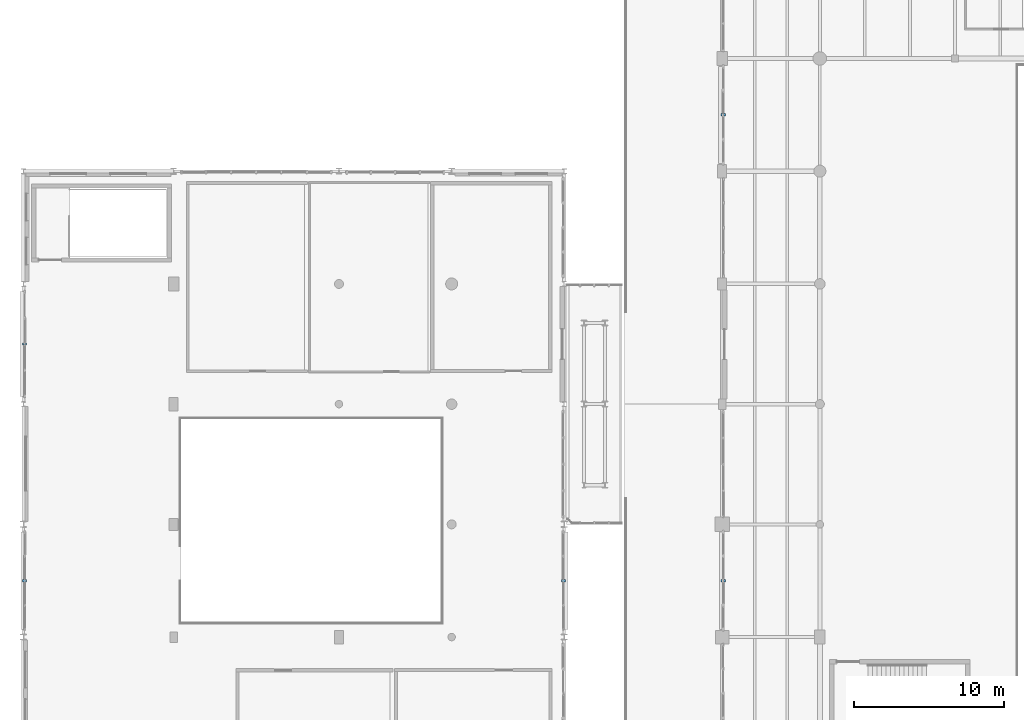
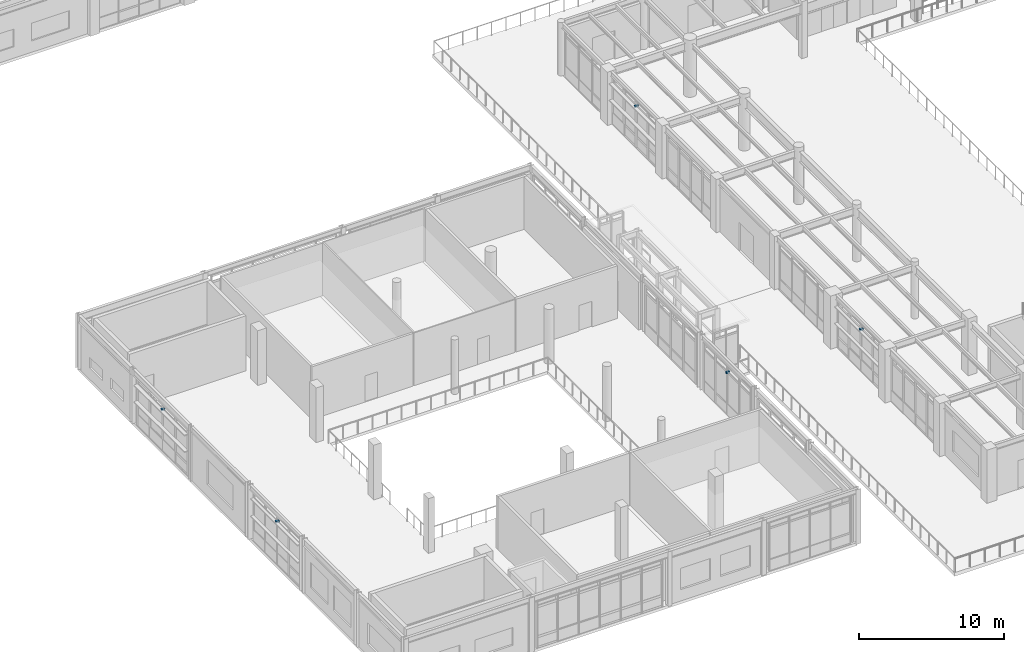
# One storey, part 184 of 200: 5 discrete accessories.
"""IFC4 building model written with IfcOpenShell, lengths in metres."""

import ifcopenshell
import ifcopenshell.guid

model = None  # the IFC model being written
_history = None  # IfcOwnerHistory: only IFC2X3 demands one
_inside = {}  # id of a spatial element -> (the spatial element, [elements in it])
_under = {}  # id of a project, library or spatial element -> (it, [spatial elements below it])
_declared = {}  # id of a project -> (the project, [libraries it declares])
_typed = {}  # id of a type object -> (the type object, [elements of that type])
_made_of = {}  # id of a material, layer set ... -> (it, [elements and type objects made of it])


def new_model(schema):
    """Start an empty IFC model of exactly this schema.

    Asked for "IFC4X3", IfcOpenShell would pick the latest addendum, in which some entities
    have other attributes; the version numbers below select the first issue.
    IFC2X3 requires an IfcOwnerHistory on every rooted entity: one is made here for all.
    """
    global model, _history
    if schema == "IFC4X3":
        model = ifcopenshell.file(schema_version=(4, 3, 0, 0))
    else:
        model = ifcopenshell.file(schema=schema)
    _inside.clear()
    _under.clear()
    _declared.clear()
    _typed.clear()
    _made_of.clear()
    _history = None
    if model.schema == "IFC2X3":
        org = make("IfcOrganization", Name="unknown")
        user = make(
            "IfcPersonAndOrganization",
            ThePerson=make("IfcPerson", FamilyName="unknown"),
            TheOrganization=org,
        )
        app = make(
            "IfcApplication",
            ApplicationDeveloper=org,
            Version="unknown",
            ApplicationFullName="unknown",
            ApplicationIdentifier="unknown",
        )
        _history = make(
            "IfcOwnerHistory",
            OwningUser=user,
            OwningApplication=app,
            ChangeAction="ADDED",
            CreationDate=0,
        )
    return model


def make(cls, **values):
    """One entity of the class cls with the attributes given. An attribute that is None is left unset."""
    return model.create_entity(
        cls, **{name: value for name, value in values.items() if value is not None}
    )


def rooted(cls, **values):
    """An entity with a GlobalId (a new one), such as an element, a storey or a relation."""
    return make(cls, GlobalId=ifcopenshell.guid.new(), OwnerHistory=_history, **values)


def si_unit(unit_type, name, prefix=None):
    """IfcSIUnit, for example si_unit("LENGTHUNIT", "METRE", prefix="MILLI")."""
    return make("IfcSIUnit", UnitType=unit_type, Prefix=prefix, Name=name)


def assignment(units):
    """IfcUnitAssignment: the units of a project."""
    return None if units is None else make("IfcUnitAssignment", Units=units)


def point(xyz):
    """IfcCartesianPoint."""
    return None if xyz is None else make("IfcCartesianPoint", Coordinates=xyz)


def direction(xyz):
    """IfcDirection."""
    return None if xyz is None else make("IfcDirection", DirectionRatios=xyz)


def frame(location, z_axis=None, x_axis=None):
    """IfcAxis2Placement3D, a coordinate frame: its origin and axes. An axis left out is left unset."""
    return make(
        "IfcAxis2Placement3D",
        Location=point(location),
        Axis=direction(z_axis),
        RefDirection=direction(x_axis),
    )


def frame_2d(location, x_axis=None):
    """IfcAxis2Placement2D, a coordinate frame in the plane: its origin and x axis."""
    return make(
        "IfcAxis2Placement2D", Location=point(location), RefDirection=direction(x_axis)
    )


def origin():
    """The frame at (0, 0, 0) with its axes left unset."""
    return frame((0.0, 0.0, 0.0))


def origin_2d():
    """The frame at (0, 0) in the plane with its x axis left unset."""
    return frame_2d((0.0, 0.0))


def place(relative_to, where):
    """IfcLocalPlacement: puts the frame where relative to a parent placement (None: the world)."""
    return make(
        "IfcLocalPlacement", PlacementRelTo=relative_to, RelativePlacement=where
    )


def context(
    kind, dimensions, precision=None, world=None, true_north=None, identifier=None
):
    """IfcGeometricRepresentationContext, for example the 3D "Model" context."""
    return make(
        "IfcGeometricRepresentationContext",
        ContextIdentifier=identifier,
        ContextType=kind,
        CoordinateSpaceDimension=dimensions,
        Precision=precision,
        WorldCoordinateSystem=world,
        TrueNorth=true_north,
    )


def subcontext(parent, identifier, kind, view, scale=None):
    """IfcGeometricRepresentationSubContext, for example "Body" below "Model"."""
    return make(
        "IfcGeometricRepresentationSubContext",
        ContextIdentifier=identifier,
        ContextType=kind,
        ParentContext=parent,
        TargetScale=scale,
        TargetView=view,
    )


def project(units=None, contexts=None):
    """IfcProject with its units and contexts."""
    return rooted(
        "IfcProject",
        Name="project",
        RepresentationContexts=contexts,
        UnitsInContext=assignment(units),
    )


def spatial(cls, under=None, at=None, **own):
    """A site, building, storey or space (cls), placed at a placement, below another one or the project."""
    s = rooted(cls, ObjectPlacement=at, **own)
    if under is not None:
        _under.setdefault(under.id(), (under, []))[1].append(s)
    return s


def profile(cls, at=None, kind="AREA", **sizes):
    """A parametric profile (cls). Its sizes go by their IFC names, for example OverallWidth=200.0."""
    return make(cls, ProfileType=kind, Position=at, **sizes)


def rectangle(**sizes):
    """IfcRectangleProfileDef."""
    return profile("IfcRectangleProfileDef", **sizes)


def extrude(swept, where, along, depth):
    """IfcExtrudedAreaSolid: the profile swept, set in the frame where, extruded along a direction by depth."""
    return make(
        "IfcExtrudedAreaSolid",
        SweptArea=swept,
        Position=where,
        ExtrudedDirection=direction(along),
        Depth=depth,
    )


def shape(context_of_items, identifier, shape_type, items):
    """IfcShapeRepresentation: the items that make up one representation, for example the "Body"."""
    return make(
        "IfcShapeRepresentation",
        ContextOfItems=context_of_items,
        RepresentationIdentifier=identifier,
        RepresentationType=shape_type,
        Items=items,
    )


def material(Name=None, Category=None):
    """IfcMaterial."""
    return make("IfcMaterial", Name=Name, Category=Category)


def made_of(thing, what):
    """Note that an element or type object is made of a material, layer set ...; save() writes the relation."""
    if what is not None:
        _made_of.setdefault(what.id(), (what, []))[1].append(thing)
    return thing


def type_object(cls, material=None, **own):
    """A type object (cls), such as IfcWallType, which elements share."""
    return made_of(rooted(cls, **own), material)


def element(
    cls,
    number,
    at=None,
    inside=None,
    cuts=None,
    type_object=None,
    material=None,
    context=None,
    identifier="Body",
    shape_type=None,
    held_by="IfcProductDefinitionShape",
    body=None,
    shapes=None,
    **own,
):
    """One element of the class cls, such as IfcWall. Its Tag is "e" and its number.

    at: its placement. inside: the storey or other place that contains it. cuts: it is an
    opening in that element (IfcRelVoidsElement). A single representation is given by context,
    identifier, shape_type and body (its items); several are given by shapes. held_by: the class
    of the entity that holds the representations. save() writes the other relations.
    """
    e = rooted(cls, Tag="e%d" % number, ObjectPlacement=at, **own)
    if body is not None:
        shapes = [shape(context, identifier, shape_type, body)]
    if shapes is not None:
        e.Representation = make(held_by, Representations=shapes)
    if inside is not None:
        _inside.setdefault(inside.id(), (inside, []))[1].append(e)
    if cuts is not None:
        rooted(
            "IfcRelVoidsElement", RelatingBuildingElement=cuts, RelatedOpeningElement=e
        )
    if type_object is not None:
        _typed.setdefault(type_object.id(), (type_object, []))[1].append(e)
    return made_of(e, material)


def aggregate(whole, parts):
    """IfcRelAggregates: a whole, such as a stair, and the parts it consists of."""
    return rooted("IfcRelAggregates", RelatingObject=whole, RelatedObjects=parts)


def save(model, path):
    """Write the relations noted so far, then the file.

    IfcRelAggregates (storeys below a building ...), IfcRelContainedInSpatialStructure (elements
    in a storey), IfcRelDefinesByType, IfcRelAssociatesMaterial and IfcRelDeclares: one each for
    every whole, place, type object, material and project.
    """
    for whole, parts in _under.values():
        aggregate(whole, parts)
    for where, things in _inside.values():
        rooted(
            "IfcRelContainedInSpatialStructure",
            RelatedElements=things,
            RelatingStructure=where,
        )
    for kind, things in _typed.values():
        rooted("IfcRelDefinesByType", RelatedObjects=things, RelatingType=kind)
    for what, things in _made_of.values():
        rooted("IfcRelAssociatesMaterial", RelatedObjects=things, RelatingMaterial=what)
    for by, libraries in _declared.values():
        rooted("IfcRelDeclares", RelatingContext=by, RelatedDefinitions=libraries)
    model.write(path)


model = new_model("IFC4")

# Units and contexts
model_context = context("Model", 3, precision=1e-05, world=origin(), true_north=direction((0.0, 1.0)))
body_context = subcontext(model_context, "Body", "Model", "MODEL_VIEW")
ifc_project = project(units=[si_unit("LENGTHUNIT", "METRE"), si_unit("AREAUNIT", "SQUARE_METRE"), si_unit("VOLUMEUNIT", "CUBIC_METRE"), si_unit("PLANEANGLEUNIT", "RADIAN"), si_unit("MASSUNIT", "GRAM", prefix="KILO"), si_unit("THERMODYNAMICTEMPERATUREUNIT", "KELVIN"), si_unit("POWERUNIT", "WATT")], contexts=[model_context])

# Site, building, storey
site_placement = place(None, origin())
site = spatial("IfcSite", under=ifc_project, at=site_placement, CompositionType="ELEMENT")
building_placement = place(site_placement, origin())
building = spatial("IfcBuilding", under=site, at=building_placement, Name="Tepalcoro Natatorium and Aquatics Centre", CompositionType="ELEMENT")
storey_placement = place(building_placement, frame((0.0, 0.0, 5.39990234375)))
storey = spatial("IfcBuildingStorey", under=building, at=storey_placement, Name="L01", CompositionType="ELEMENT", Elevation=5.39990234375)

# Discrete accessories
ifc_material_1 = material(Name="Plate Steel ASTM A572 Grade 50 (Fy 345 MPa)", Category="steel")
discrete_accessory_type_1 = type_object("IfcDiscreteAccessoryType", Name="BRK_FACADE_GALV", PredefinedType="BRACKET", material=ifc_material_1)
for number, where, z_axis, x_axis, name in (
    (1, (46.56494140625, 55.25, 3.4072265625), (0.0, 0.0, 1.0), (1.0, 0.0, 0.0), "Solar Shading Outrigger Bracket BRK_FACADE_GALV"),
    (2, (0.074951171875, 40.0, 3.404296875), (0.0, 0.0, 1.0), (1.0, 0.0, 0.0), "Solar Shading Outrigger Bracket BRK_FACADE_GALV"),
    (3, (35.94384765625, 24.25, 3.52734375), (0.0, 0.0, 1.0), (1.0, 0.0, 0.0), "Solar Shading Outrigger Bracket BRK_FACADE_GALV"),
):
    element("IfcDiscreteAccessory", number, at=place(storey_placement, frame(where, z_axis=z_axis, x_axis=x_axis)), inside=storey, type_object=discrete_accessory_type_1, Name=name, PredefinedType="BRACKET", context=body_context, shape_type="SweptSolid", body=[
        extrude(rectangle(XDim=0.280029296875, YDim=0.159912109375, at=origin_2d()), origin(), (0.0, 0.0, 1.0), 0.159912109375),
    ])
ifc_material_2 = material(Name="Marine-Grade Brushed Stainless Steel AISI 316L", Category="steel")
discrete_accessory_type_2 = type_object("IfcDiscreteAccessoryType", Name="BRK_SEISMIC_SS", PredefinedType="BRACKET", material=ifc_material_2)
for number, where, z_axis, x_axis, name in (
    (4, (46.56494140625, 24.25, 3.4072265625), (0.0, 0.0, 1.0), (1.0, 0.0, 0.0), "Solar Shading Outrigger Bracket BRK_SEISMIC_SS"),
    (5, (0.074951171875, 24.25, 3.52734375), (0.0, 0.0, 1.0), (1.0, 0.0, 0.0), "Solar Shading Outrigger Bracket BRK_SEISMIC_SS"),
):
    element("IfcDiscreteAccessory", number, at=place(storey_placement, frame(where, z_axis=z_axis, x_axis=x_axis)), inside=storey, type_object=discrete_accessory_type_2, Name=name, PredefinedType="BRACKET", context=body_context, shape_type="SweptSolid", body=[
        extrude(rectangle(XDim=0.280029296875, YDim=0.159912109375, at=origin_2d()), origin(), (0.0, 0.0, 1.0), 0.159912109375),
    ])

save(model, "model.ifc")
